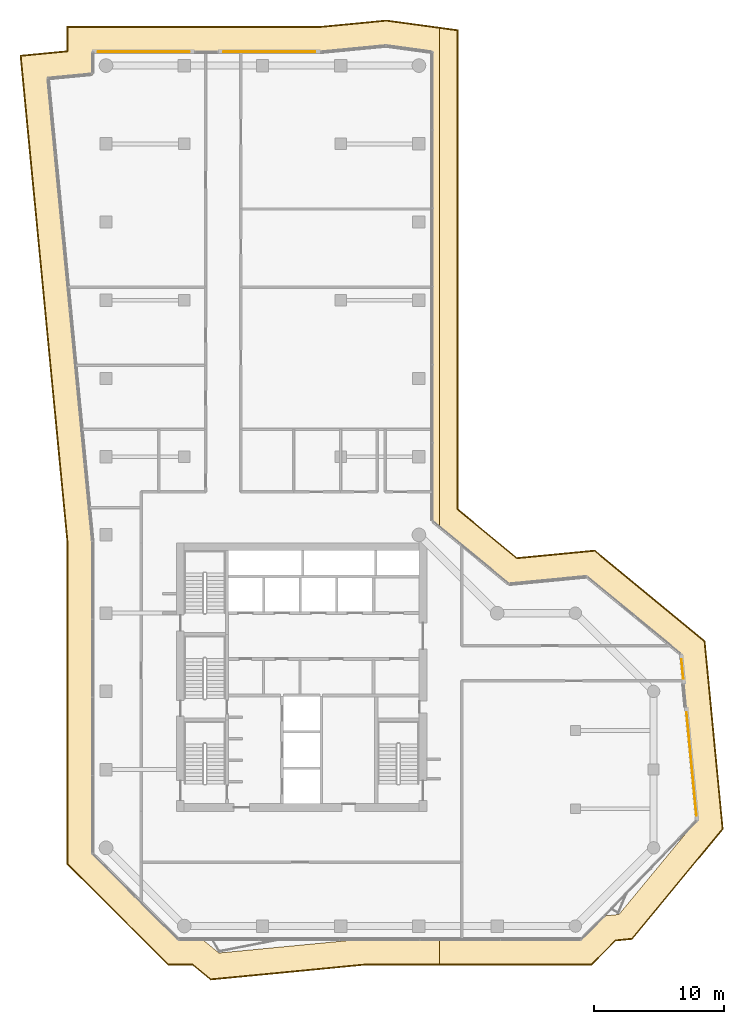
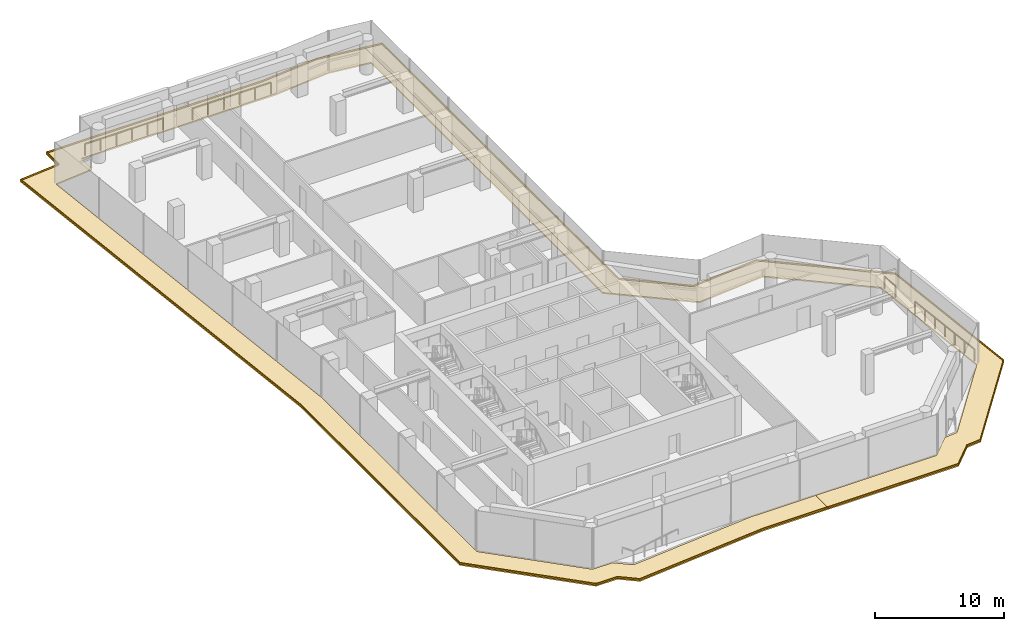
# One storey, part 22 of 22: 4 coverings, 4 railings.
"""IFC4 building model written with IfcOpenShell, lengths in metres."""

from ifc_helpers import new_model, si_unit, direction, frame, origin, origin_2d, place, context, subcontext, project, spatial, polyline, circle, outline, extrude, material, layer, layer_set, type_object, element, save


model = new_model("IFC4")

# Units and contexts
model_context = context("Model", 3, precision=1e-05, world=origin(), true_north=direction((0.0, 1.0)))
body_context = subcontext(model_context, "Body", "Model", "MODEL_VIEW")
ifc_project = project(units=[si_unit("LENGTHUNIT", "METRE"), si_unit("AREAUNIT", "SQUARE_METRE"), si_unit("VOLUMEUNIT", "CUBIC_METRE"), si_unit("PLANEANGLEUNIT", "RADIAN"), si_unit("MASSUNIT", "GRAM", prefix="KILO")], contexts=[model_context])

# Site, building, storey
site_placement = place(None, origin())
site = spatial("IfcSite", under=ifc_project, at=site_placement, CompositionType="ELEMENT")
building_placement = place(site_placement, origin())
building = spatial("IfcBuilding", under=site, at=building_placement, Name="Welwitschia Terrace Campus", CompositionType="ELEMENT")
storey_placement = place(building_placement, frame((0.0, 0.0, 192.800048828125)))
storey = spatial("IfcBuildingStorey", under=building, at=storey_placement, Name="L43", CompositionType="ELEMENT", Elevation=192.800048828125)

# Railings
ifc_material_1 = material(Name="Stainless steel grade 316", Category="steel")
railing_type = type_object("IfcRailingType", Name="Guard 1100", PredefinedType="GUARDRAIL", material=ifc_material_1)
railing_1_placement = place(storey_placement, frame((-0.60791015625, 63.05810546875, 0.0)))
element("IfcRailing", 1, at=railing_1_placement, inside=storey, type_object=railing_type, Name="Guard floor edge L43.0", PredefinedType="GUARDRAIL", context=body_context, shape_type="SweptSolid", body=[
    extrude(circle(Radius=0.02392578125, at=origin_2d()), frame((0.0, 0.0, 1.076171875), z_axis=(1.0, 0.0, 0.0), x_axis=(0.0, 1.0, 0.0)), (0.0, 0.0, 1.0), 6.99365234375),
    extrude(circle(Radius=0.02099609375, at=origin_2d()), origin(), (0.0, 0.0, 1.0), 1.052001953125),
    extrude(circle(Radius=0.02099609375, at=origin_2d()), frame((1.398681640625, 0.0, 0.0)), (0.0, 0.0, 1.0), 1.052001953125),
    extrude(circle(Radius=0.02099609375, at=origin_2d()), frame((2.79736328125, 0.0, 0.0)), (0.0, 0.0, 1.0), 1.052001953125),
    extrude(circle(Radius=0.02099609375, at=origin_2d()), frame((4.1962890625, 0.0, 0.0)), (0.0, 0.0, 1.0), 1.052001953125),
    extrude(circle(Radius=0.02099609375, at=origin_2d()), frame((5.594970703125, 0.0, 0.0)), (0.0, 0.0, 1.0), 1.052001953125),
    extrude(circle(Radius=0.02099609375, at=origin_2d()), frame((6.99365234375, 0.0, 0.0)), (0.0, 0.0, 1.0), 1.052001953125),
])
railing_2_placement = place(storey_placement, frame((9.01171875, 63.05810546875, 0.0)))
element("IfcRailing", 2, at=railing_2_placement, inside=storey, type_object=railing_type, Name="Guard floor edge L43.2", PredefinedType="GUARDRAIL", context=body_context, shape_type="SweptSolid", body=[
    extrude(circle(Radius=0.02392578125, at=origin_2d()), frame((0.0, 0.0, 1.076171875), z_axis=(1.0, 0.0, 0.0), x_axis=(0.0, 1.0, 0.0)), (0.0, 0.0, 1.0), 7.031005859375),
    extrude(circle(Radius=0.02099609375, at=origin_2d()), origin(), (0.0, 0.0, 1.0), 1.052001953125),
    extrude(circle(Radius=0.02099609375, at=origin_2d()), frame((1.40625, 0.0, 0.0)), (0.0, 0.0, 1.0), 1.052001953125),
    extrude(circle(Radius=0.02099609375, at=origin_2d()), frame((2.8125, 0.0, 0.0)), (0.0, 0.0, 1.0), 1.052001953125),
    extrude(circle(Radius=0.02099609375, at=origin_2d()), frame((4.218505859375, 0.0, 0.0)), (0.0, 0.0, 1.0), 1.052001953125),
    extrude(circle(Radius=0.02099609375, at=origin_2d()), frame((5.624755859375, 0.0, 0.0)), (0.0, 0.0, 1.0), 1.052001953125),
    extrude(circle(Radius=0.02099609375, at=origin_2d()), frame((7.031005859375, 0.0, 0.0)), (0.0, 0.0, 1.0), 1.052001953125),
])
railing_3_placement = place(storey_placement, frame((44.134521484375, 16.463623046875, 0.0)))
element("IfcRailing", 3, at=railing_3_placement, inside=storey, type_object=railing_type, Name="Guard floor edge L43.4", PredefinedType="GUARDRAIL", context=body_context, shape_type="SweptSolid", body=[
    extrude(circle(Radius=0.02392578125, at=origin_2d()), frame((0.0, 0.0, 1.076171875), z_axis=(0.09581210097, -0.995399438069, 0.0), x_axis=(0.995399438069, 0.09581210097, 0.0)), (0.0, 0.0, 1.0), 1.4931640625),
    extrude(circle(Radius=0.02099609375, at=origin_2d()), origin(), (0.0, 0.0, 1.0), 1.052001953125),
    extrude(circle(Radius=0.02099609375, at=origin_2d()), frame((0.14306640625, -1.486328125, 0.0)), (0.0, 0.0, 1.0), 1.052001953125),
])
railing_4_placement = place(storey_placement, frame((44.529296875, 12.363525390625, 0.0)))
element("IfcRailing", 4, at=railing_4_placement, inside=storey, type_object=railing_type, Name="Guard floor edge L43.5", PredefinedType="GUARDRAIL", context=body_context, shape_type="SweptSolid", body=[
    extrude(circle(Radius=0.02392578125, at=origin_2d()), frame((0.0, 0.0, 1.076171875), z_axis=(0.095824435003, -0.99539825078, 0.0), x_axis=(0.99539825078, 0.095824435003, 0.0)), (0.0, 0.0, 1.0), 7.93115234375),
    extrude(circle(Radius=0.02099609375, at=origin_2d()), origin(), (0.0, 0.0, 1.0), 1.052001953125),
    extrude(circle(Radius=0.02099609375, at=origin_2d()), frame((0.126708984375, -1.31591796875, 0.0)), (0.0, 0.0, 1.0), 1.052001953125),
    extrude(circle(Radius=0.02099609375, at=origin_2d()), frame((0.25341796875, -2.631591796875, 0.0)), (0.0, 0.0, 1.0), 1.052001953125),
    extrude(circle(Radius=0.02099609375, at=origin_2d()), frame((0.3798828125, -3.947265625, 0.0)), (0.0, 0.0, 1.0), 1.052001953125),
    extrude(circle(Radius=0.02099609375, at=origin_2d()), frame((0.506591796875, -5.26318359375, 0.0)), (0.0, 0.0, 1.0), 1.052001953125),
    extrude(circle(Radius=0.02099609375, at=origin_2d()), frame((0.63330078125, -6.5791015625, 0.0)), (0.0, 0.0, 1.0), 1.052001953125),
    extrude(circle(Radius=0.02099609375, at=origin_2d()), frame((0.760009765625, -7.894775390625, 0.0)), (0.0, 0.0, 1.0), 1.052001953125),
])

# Coverings
ifc_material_2 = material(Name="Bronze anodised aluminium", Category="aluminium")
ifc_layer_1 = layer(ifc_material_2, 0.1201171875)
ifc_layer_set_1 = layer_set([ifc_layer_1], Name="Bronze anodised aluminium")
covering_type_1 = type_object("IfcCoveringType", Name="Sunshade band 2000", PredefinedType="USERDEFINED", material=ifc_layer_set_1)
covering_1_placement = place(storey_placement, frame((0.0, 0.0, -0.25)))
element("IfcCovering", 5, at=covering_1_placement, inside=storey, type_object=covering_type_1, Name="SUNSHADE L43.SW0", ObjectType="SUNSHADE", PredefinedType="USERDEFINED", context=body_context, shape_type="SweptSolid", body=[
    extrude(outline(polyline([(-3.0, 65.0), (16.3623046875, 65.0), (21.50537109375, 65.4951171875), (25.585205078125, 64.938720703125), (25.585205078125, 26.559326171875), (25.0, 27.041748046875), (25.0, 63.0), (21.465576171875, 63.482177734375), (16.45849609375, 63.0), (-1.0, 63.0), (-1.0, 61.31884765625), (-4.414794921875, 60.989990234375), (-1.0, 25.5263671875), (-1.0, 1.585693359375), (5.585693359375, -5.0), (7.365478515625, -5.0), (8.658203125, -6.065673828125), (19.724609375, -5.0), (25.585205078125, -5.0), (25.585205078125, -7.0), (19.82080078125, -7.0), (8.025390625, -8.1357421875), (6.6474609375, -7.0), (4.75732421875, -7.0), (-3.0, 0.75732421875), (-3.0, 25.43017578125), (-6.597412109375, 62.789306640625), (-3.0, 63.135498046875), (-3.0, 65.0)])), origin(), (0.0, 0.0, 1.0), 0.119873046875),
])
covering_2_placement = place(storey_placement, frame((0.0, 0.0, -0.25)))
element("IfcCovering", 6, at=covering_2_placement, inside=storey, type_object=covering_type_1, Name="SUNSHADE L43.SE0", ObjectType="SUNSHADE", PredefinedType="USERDEFINED", context=body_context, shape_type="SweptSolid", body=[
    extrude(outline(polyline([(27.0, 64.74560546875), (27.0, 27.985107421875), (31.51318359375, 24.2646484375), (37.485595703125, 24.839599609375), (45.95068359375, 17.861572265625), (47.339111328125, 3.443115234375), (40.361083984375, -5.022216796875), (39.098876953125, -5.143798828125), (37.24267578125, -7.0), (25.585205078125, -7.0), (25.585205078125, -5.0), (36.414306640625, -5.0), (38.1923828125, -3.2216796875), (39.3447265625, -3.11083984375), (45.268798828125, 4.075927734375), (44.039306640625, 16.84521484375), (36.852783203125, 22.76953125), (30.88037109375, 22.1943359375), (25.585205078125, 26.559326171875), (25.585205078125, 64.938720703125), (27.0, 64.74560546875)])), origin(), (0.0, 0.0, 1.0), 0.119873046875),
])
ifc_material_3 = material(Name="Bronze anodised aluminium", Category="aluminium")
ifc_layer_2 = layer(ifc_material_3, 0.06005859375)
ifc_layer_set_2 = layer_set([ifc_layer_2], Name="Bronze anodised aluminium")
covering_type_2 = type_object("IfcCoveringType", Name="Sunshade lip 60", PredefinedType="USERDEFINED", material=ifc_layer_set_2)
covering_3_placement = place(storey_placement, frame((0.0, 0.0, -0.130126953125)))
element("IfcCovering", 7, at=covering_3_placement, inside=storey, type_object=covering_type_2, Name="SUNSHADE LIP L43.SW0.0", ObjectType="SUNSHADE", PredefinedType="USERDEFINED", context=body_context, shape_type="SweptSolid", body=[
    extrude(outline(polyline([(16.3623046875, 65.0), (21.50537109375, 65.4951171875), (25.585205078125, 64.938720703125), (25.585205078125, 64.878173828125), (21.504150390625, 65.434814453125), (16.365234375, 64.93994140625), (-2.93994140625, 64.93994140625), (-2.93994140625, 63.0810546875), (-6.53173828125, 62.7353515625), (-2.93994140625, 25.43310546875), (-2.93994140625, 0.7822265625), (4.7822265625, -6.93994140625), (6.6689453125, -6.93994140625), (8.044189453125, -8.07373046875), (19.81787109375, -6.93994140625), (25.585205078125, -6.93994140625), (25.585205078125, -7.0), (19.82080078125, -7.0), (8.025390625, -8.1357421875), (6.6474609375, -7.0), (4.75732421875, -7.0), (-3.0, 0.75732421875), (-3.0, 25.43017578125), (-6.597412109375, 62.789306640625), (-3.0, 63.135498046875), (-3.0, 65.0), (16.3623046875, 65.0)])), origin(), (0.0, 0.0, 1.0), 0.130126953125),
])
covering_4_placement = place(storey_placement, frame((0.0, 0.0, -0.130126953125)))
element("IfcCovering", 8, at=covering_4_placement, inside=storey, type_object=covering_type_2, Name="SUNSHADE LIP L43.SE0.0", ObjectType="SUNSHADE", PredefinedType="USERDEFINED", context=body_context, shape_type="SweptSolid", body=[
    extrude(outline(polyline([(27.0, 27.985107421875), (31.51318359375, 24.2646484375), (37.485595703125, 24.839599609375), (45.95068359375, 17.861572265625), (47.339111328125, 3.443115234375), (40.361083984375, -5.022216796875), (39.098876953125, -5.143798828125), (37.24267578125, -7.0), (25.585205078125, -7.0), (25.585205078125, -6.93994140625), (37.2177734375, -6.93994140625), (39.07177734375, -5.086181640625), (40.33056640625, -4.96484375), (47.277099609375, 3.4619140625), (45.893310546875, 17.8310546875), (37.466552734375, 24.777587890625), (31.494384765625, 24.202392578125), (26.93994140625, 27.956787109375), (26.93994140625, 64.693359375), (25.585205078125, 64.878173828125), (25.585205078125, 64.938720703125), (27.0, 64.74560546875), (27.0, 27.985107421875)])), origin(), (0.0, 0.0, 1.0), 0.130126953125),
])

save(model, "model.ifc")
